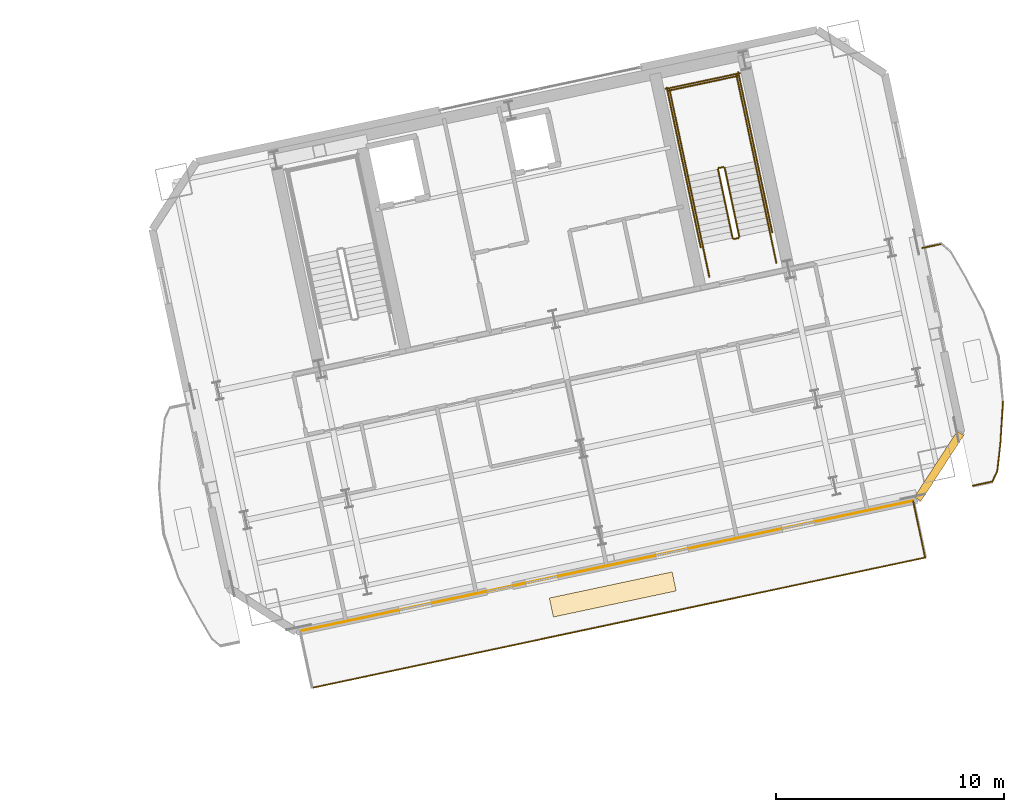
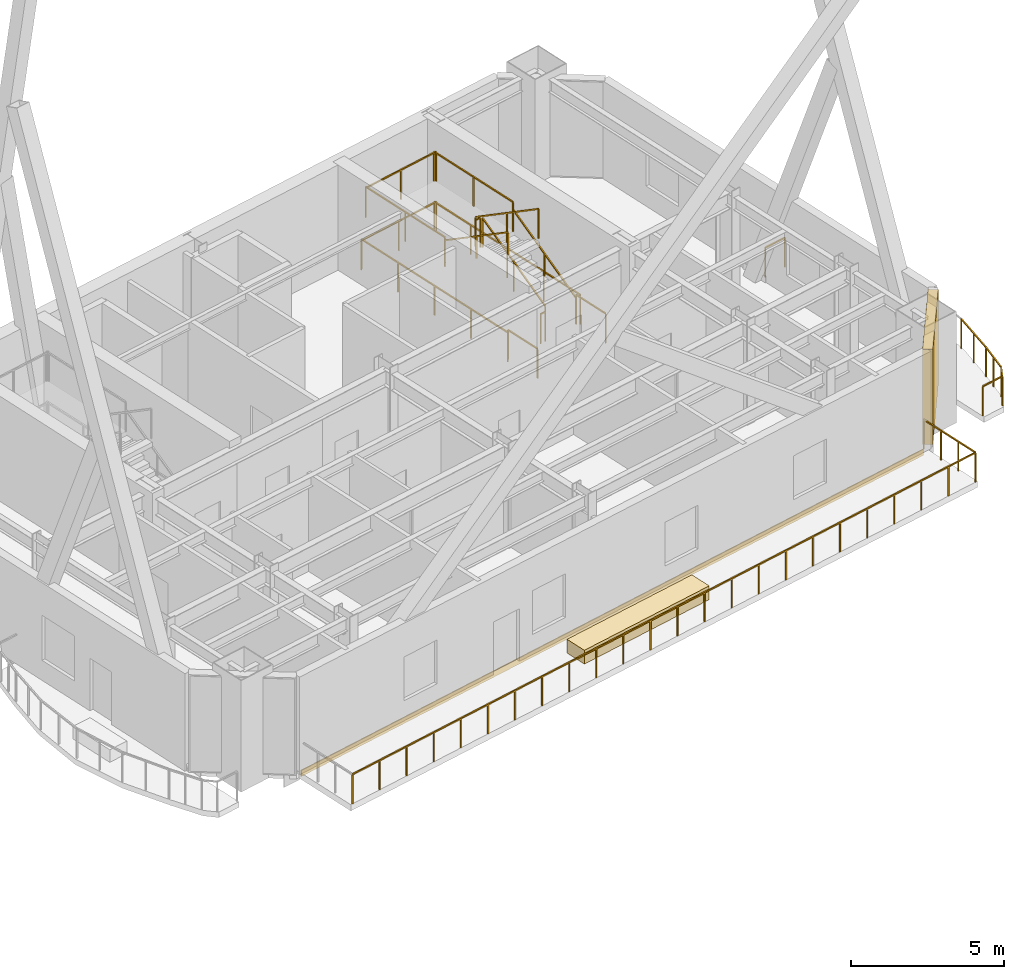
# One storey, part 21 of 22: 21 railings, 2 coverings, 1 shading device.
"""IFC4 building model written with IfcOpenShell, lengths in metres."""

from ifc_helpers import new_model, si_unit, direction, frame, origin, origin_2d, place, context, subcontext, project, spatial, rectangle, extrude, material, layer, layer_set, type_object, element, save


model = new_model("IFC4")

# Units and contexts
model_context = context("Model", 3, precision=1e-05, world=origin(), true_north=direction((0.0, 1.0)))
body_context = subcontext(model_context, "Body", "Model", "MODEL_VIEW")
ifc_project = project(units=[si_unit("LENGTHUNIT", "METRE"), si_unit("AREAUNIT", "SQUARE_METRE"), si_unit("VOLUMEUNIT", "CUBIC_METRE"), si_unit("PLANEANGLEUNIT", "RADIAN"), si_unit("MASSUNIT", "GRAM", prefix="KILO")], contexts=[model_context])

# Site, building, storey
site_placement = place(None, origin())
site = spatial("IfcSite", under=ifc_project, at=site_placement, CompositionType="ELEMENT")
building_placement = place(site_placement, origin())
building = spatial("IfcBuilding", under=site, at=building_placement, Name="Haevon Station Towers", CompositionType="ELEMENT")
storey_placement = place(building_placement, frame((0.0, 0.0, 133.800048828125)))
storey = spatial("IfcBuildingStorey", under=building, at=storey_placement, Name="L36", CompositionType="ELEMENT", Elevation=133.800048828125)

# Covering
ifc_material_1 = material(Name="Anodised aluminium 6063-T6", Category="aluminium")
ifc_layer_1 = layer(ifc_material_1, 0.0400390625)
ifc_layer_set_1 = layer_set([ifc_layer_1], Name="Anodised aluminium 6063-T6")
covering_type_1 = type_object("IfcCoveringType", Name="COV-CLAD40", PredefinedType="CLADDING", material=ifc_layer_set_1)
covering_1_placement = place(storey_placement, frame((111.3203125, 28.81689453125, -0.240234375), z_axis=(0.0, 0.0, 1.0), x_axis=(0.978147600734, 0.207911690818, 0.0)))
element("IfcCovering", 1, at=covering_1_placement, inside=storey, type_object=covering_type_1, Name="Tower 2 L36 Spandrel Fascia Cladding", PredefinedType="CLADDING", context=body_context, shape_type="SweptSolid", body=[
    extrude(rectangle(XDim=27.39990234375, YDim=0.0400390625, at=origin_2d()), origin(), (0.0, 0.0, 1.0), 0.239990234375),
])

# Railings
ifc_material_2 = material(Name="Steel S355", Category="steel")
railing_type_1 = type_object("IfcRailingType", Name="GRD-EXT1200", PredefinedType="GUARDRAIL", material=ifc_material_2)
railing_1_placement = place(storey_placement, frame((98.428466796875, 23.477294921875, 0.0)))
element("IfcRailing", 2, at=railing_1_placement, inside=storey, type_object=railing_type_1, Name="L36 Perimeter Guardrail 1", PredefinedType="GUARDRAIL", context=body_context, shape_type="SweptSolid", body=[
    extrude(rectangle(XDim=0.048095703125, YDim=0.048095703125, at=origin_2d()), frame((0.0, 0.0, 1.17578125), z_axis=(0.978148832804, 0.207905894298, 0.0), x_axis=(-0.207905894298, 0.978148832804, 0.0)), (0.0, 0.0, 1.0), 27.440673828125),
    extrude(rectangle(XDim=0.0419921875, YDim=0.0419921875, at=origin_2d()), origin(), (0.0, 0.0, 1.0), 1.15185546875),
    extrude(rectangle(XDim=0.0419921875, YDim=0.0419921875, at=origin_2d()), frame((1.1669921875, 0.248046875, 0.0)), (0.0, 0.0, 1.0), 1.15185546875),
    extrude(rectangle(XDim=0.0419921875, YDim=0.0419921875, at=origin_2d()), frame((2.333984375, 0.49609375, 0.0)), (0.0, 0.0, 1.0), 1.15185546875),
    extrude(rectangle(XDim=0.0419921875, YDim=0.0419921875, at=origin_2d()), frame((3.5009765625, 0.744140625, 0.0)), (0.0, 0.0, 1.0), 1.15185546875),
    extrude(rectangle(XDim=0.0419921875, YDim=0.0419921875, at=origin_2d()), frame((4.66796875, 0.9921875, 0.0)), (0.0, 0.0, 1.0), 1.15185546875),
    extrude(rectangle(XDim=0.0419921875, YDim=0.0419921875, at=origin_2d()), frame((5.8349609375, 1.240234375, 0.0)), (0.0, 0.0, 1.0), 1.15185546875),
    extrude(rectangle(XDim=0.0419921875, YDim=0.0419921875, at=origin_2d()), frame((7.001953125, 1.48828125, 0.0)), (0.0, 0.0, 1.0), 1.15185546875),
    extrude(rectangle(XDim=0.0419921875, YDim=0.0419921875, at=origin_2d()), frame((8.1689453125, 1.736328125, 0.0)), (0.0, 0.0, 1.0), 1.15185546875),
    extrude(rectangle(XDim=0.0419921875, YDim=0.0419921875, at=origin_2d()), frame((9.3359375, 1.984375, 0.0)), (0.0, 0.0, 1.0), 1.15185546875),
    extrude(rectangle(XDim=0.0419921875, YDim=0.0419921875, at=origin_2d()), frame((10.5029296875, 2.232421875, 0.0)), (0.0, 0.0, 1.0), 1.15185546875),
    extrude(rectangle(XDim=0.0419921875, YDim=0.0419921875, at=origin_2d()), frame((11.669921875, 2.48046875, 0.0)), (0.0, 0.0, 1.0), 1.15185546875),
    extrude(rectangle(XDim=0.0419921875, YDim=0.0419921875, at=origin_2d()), frame((12.8369140625, 2.728515625, 0.0)), (0.0, 0.0, 1.0), 1.15185546875),
    extrude(rectangle(XDim=0.0419921875, YDim=0.0419921875, at=origin_2d()), frame((14.004150390625, 2.9765625, 0.0)), (0.0, 0.0, 1.0), 1.15185546875),
    extrude(rectangle(XDim=0.0419921875, YDim=0.0419921875, at=origin_2d()), frame((15.171142578125, 3.224609375, 0.0)), (0.0, 0.0, 1.0), 1.15185546875),
    extrude(rectangle(XDim=0.0419921875, YDim=0.0419921875, at=origin_2d()), frame((16.338134765625, 3.47265625, 0.0)), (0.0, 0.0, 1.0), 1.15185546875),
    extrude(rectangle(XDim=0.0419921875, YDim=0.0419921875, at=origin_2d()), frame((17.505126953125, 3.720703125, 0.0)), (0.0, 0.0, 1.0), 1.15185546875),
    extrude(rectangle(XDim=0.0419921875, YDim=0.0419921875, at=origin_2d()), frame((18.672119140625, 3.96875, 0.0)), (0.0, 0.0, 1.0), 1.15185546875),
    extrude(rectangle(XDim=0.0419921875, YDim=0.0419921875, at=origin_2d()), frame((19.839111328125, 4.216796875, 0.0)), (0.0, 0.0, 1.0), 1.15185546875),
    extrude(rectangle(XDim=0.0419921875, YDim=0.0419921875, at=origin_2d()), frame((21.006103515625, 4.46484375, 0.0)), (0.0, 0.0, 1.0), 1.15185546875),
    extrude(rectangle(XDim=0.0419921875, YDim=0.0419921875, at=origin_2d()), frame((22.173095703125, 4.712890625, 0.0)), (0.0, 0.0, 1.0), 1.15185546875),
    extrude(rectangle(XDim=0.0419921875, YDim=0.0419921875, at=origin_2d()), frame((23.340087890625, 4.9609375, 0.0)), (0.0, 0.0, 1.0), 1.15185546875),
    extrude(rectangle(XDim=0.0419921875, YDim=0.0419921875, at=origin_2d()), frame((24.507080078125, 5.208984375, 0.0)), (0.0, 0.0, 1.0), 1.15185546875),
    extrude(rectangle(XDim=0.0419921875, YDim=0.0419921875, at=origin_2d()), frame((25.674072265625, 5.45703125, 0.0)), (0.0, 0.0, 1.0), 1.15185546875),
    extrude(rectangle(XDim=0.0419921875, YDim=0.0419921875, at=origin_2d()), frame((26.841064453125, 5.705078125, 0.0)), (0.0, 0.0, 1.0), 1.15185546875),
])
railing_2_placement = place(storey_placement, frame((125.26953125, 29.182373046875, 0.0)))
element("IfcRailing", 3, at=railing_2_placement, inside=storey, type_object=railing_type_1, Name="L36 Perimeter Guardrail 2", PredefinedType="GUARDRAIL", context=body_context, shape_type="SweptSolid", body=[
    extrude(rectangle(XDim=0.048095703125, YDim=0.048095703125, at=origin_2d()), frame((0.0, 0.0, 1.17578125), z_axis=(-0.207921067697, 0.97814560757, 0.0), x_axis=(-0.97814560757, -0.207921067697, 0.0)), (0.0, 0.0, 1.0), 2.530517578125),
    extrude(rectangle(XDim=0.0419921875, YDim=0.0419921875, at=origin_2d()), origin(), (0.0, 0.0, 1.0), 1.15185546875),
    extrude(rectangle(XDim=0.0419921875, YDim=0.0419921875, at=origin_2d()), frame((-0.17529296875, 0.824951171875, 0.0)), (0.0, 0.0, 1.0), 1.15185546875),
    extrude(rectangle(XDim=0.0419921875, YDim=0.0419921875, at=origin_2d()), frame((-0.350830078125, 1.650146484375, 0.0)), (0.0, 0.0, 1.0), 1.15185546875),
    extrude(rectangle(XDim=0.0419921875, YDim=0.0419921875, at=origin_2d()), frame((-0.526123046875, 2.47509765625, 0.0)), (0.0, 0.0, 1.0), 1.15185546875),
])
railing_3_placement = place(storey_placement, frame((127.36328125, 32.332275390625, 0.0)))
element("IfcRailing", 4, at=railing_3_placement, inside=storey, type_object=railing_type_1, Name="L36 Perimeter Guardrail 1", PredefinedType="GUARDRAIL", context=body_context, shape_type="SweptSolid", body=[
    extrude(rectangle(XDim=0.048095703125, YDim=0.048095703125, at=origin_2d()), frame((0.0, 0.0, 1.17578125), z_axis=(0.977695451476, 0.210027627141, 0.0), x_axis=(-0.210027627141, 0.977695451476, 0.0)), (0.0, 0.0, 1.0), 0.869384765625),
    extrude(rectangle(XDim=0.0419921875, YDim=0.0419921875, at=origin_2d()), origin(), (0.0, 0.0, 1.0), 1.15185546875),
    extrude(rectangle(XDim=0.0419921875, YDim=0.0419921875, at=origin_2d()), frame((0.85009765625, 0.1826171875, 0.0)), (0.0, 0.0, 1.0), 1.15185546875),
])
railing_4_placement = place(storey_placement, frame((128.21337890625, 32.514892578125, 0.0)))
element("IfcRailing", 5, at=railing_4_placement, inside=storey, type_object=railing_type_1, Name="L36 Perimeter Guardrail 2", PredefinedType="GUARDRAIL", context=body_context, shape_type="SweptSolid", body=[
    extrude(rectangle(XDim=0.048095703125, YDim=0.048095703125, at=origin_2d()), frame((0.0, 0.0, 1.17578125), z_axis=(0.424336804867, 0.905504431814, 0.0), x_axis=(-0.905504431814, 0.424336804867, 0.0)), (0.0, 0.0, 1.0), 0.515625),
    extrude(rectangle(XDim=0.0419921875, YDim=0.0419921875, at=origin_2d()), origin(), (0.0, 0.0, 1.0), 1.15185546875),
    extrude(rectangle(XDim=0.0419921875, YDim=0.0419921875, at=origin_2d()), frame((0.21875, 0.466796875, 0.0)), (0.0, 0.0, 1.0), 1.15185546875),
])
railing_5_placement = place(storey_placement, frame((128.43212890625, 32.981689453125, 0.0)))
element("IfcRailing", 6, at=railing_5_placement, inside=storey, type_object=railing_type_1, Name="L36 Perimeter Guardrail 3", PredefinedType="GUARDRAIL", context=body_context, shape_type="SweptSolid", body=[
    extrude(rectangle(XDim=0.048095703125, YDim=0.048095703125, at=origin_2d()), frame((0.0, 0.0, 1.17578125), z_axis=(0.110866095159, 0.993835353036, 0.0), x_axis=(-0.993835353036, 0.110866095159, 0.0)), (0.0, 0.0, 1.0), 1.233154296875),
    extrude(rectangle(XDim=0.0419921875, YDim=0.0419921875, at=origin_2d()), origin(), (0.0, 0.0, 1.0), 1.15185546875),
    extrude(rectangle(XDim=0.0419921875, YDim=0.0419921875, at=origin_2d()), frame((0.068359375, 0.61279296875, 0.0)), (0.0, 0.0, 1.0), 1.15185546875),
    extrude(rectangle(XDim=0.0419921875, YDim=0.0419921875, at=origin_2d()), frame((0.13671875, 1.2255859375, 0.0)), (0.0, 0.0, 1.0), 1.15185546875),
])
railing_6_placement = place(storey_placement, frame((128.56884765625, 34.207275390625, 0.0)))
element("IfcRailing", 7, at=railing_6_placement, inside=storey, type_object=railing_type_1, Name="L36 Perimeter Guardrail 4", PredefinedType="GUARDRAIL", context=body_context, shape_type="SweptSolid", body=[
    extrude(rectangle(XDim=0.048095703125, YDim=0.048095703125, at=origin_2d()), frame((0.0, 0.0, 1.17578125), z_axis=(0.060230624472, 0.998184487896, 0.0), x_axis=(-0.998184487896, 0.060230624472, 0.0)), (0.0, 0.0, 1.0), 1.811767578125),
    extrude(rectangle(XDim=0.0419921875, YDim=0.0419921875, at=origin_2d()), origin(), (0.0, 0.0, 1.0), 1.15185546875),
    extrude(rectangle(XDim=0.0419921875, YDim=0.0419921875, at=origin_2d()), frame((0.0546875, 0.904296875, 0.0)), (0.0, 0.0, 1.0), 1.15185546875),
    extrude(rectangle(XDim=0.0419921875, YDim=0.0419921875, at=origin_2d()), frame((0.109130859375, 1.80859375, 0.0)), (0.0, 0.0, 1.0), 1.15185546875),
])
railing_7_placement = place(storey_placement, frame((126.0009765625, 42.922607421875, 0.0)))
element("IfcRailing", 8, at=railing_7_placement, inside=storey, type_object=railing_type_1, Name="L36 Perimeter Guardrail 10", PredefinedType="GUARDRAIL", context=body_context, shape_type="SweptSolid", body=[
    extrude(rectangle(XDim=0.048095703125, YDim=0.048095703125, at=origin_2d()), frame((0.0, 0.0, 1.17578125), z_axis=(-0.978645023674, -0.205557577426, 0.0), x_axis=(0.205557577426, -0.978645023674, 0.0)), (0.0, 0.0, 1.0), 0.869384765625),
    extrude(rectangle(XDim=0.0419921875, YDim=0.0419921875, at=origin_2d()), origin(), (0.0, 0.0, 1.0), 1.15185546875),
    extrude(rectangle(XDim=0.0419921875, YDim=0.0419921875, at=origin_2d()), frame((-0.850830078125, -0.1787109375, 0.0)), (0.0, 0.0, 1.0), 1.15185546875),
])
railing_type_2 = type_object("IfcRailingType", Name="GRD-STR1200", PredefinedType="GUARDRAIL", material=ifc_material_2)
railing_8_placement = place(storey_placement, frame((117.128662109375, 43.23974609375, 0.175048828125)))
element("IfcRailing", 9, at=railing_8_placement, inside=storey, type_object=railing_type_2, Name="L36 ST4 Stair Guard 1", PredefinedType="GUARDRAIL", context=body_context, shape_type="SweptSolid", body=[
    extrude(rectangle(XDim=0.048095703125, YDim=0.048095703125, at=origin_2d()), frame((0.0, 0.0, 1.17578125), z_axis=(-0.176317186199, 0.829490689172, 0.5299598536), x_axis=(-0.978146762005, -0.207915636689, 0.0)), (0.0, 0.0, 1.0), 3.632080078125),
    extrude(rectangle(XDim=0.0419921875, YDim=0.0419921875, at=origin_2d()), origin(), (0.0, 0.0, 1.0), 1.15185546875),
    extrude(rectangle(XDim=0.0419921875, YDim=0.0419921875, at=origin_2d()), frame((-0.3203125, 1.50634765625, 0.96240234375)), (0.0, 0.0, 1.0), 1.15185546875),
    extrude(rectangle(XDim=0.0419921875, YDim=0.0419921875, at=origin_2d()), frame((-0.640380859375, 3.0126953125, 1.9248046875)), (0.0, 0.0, 1.0), 1.15185546875),
])
railing_9_placement = place(storey_placement, frame((116.428955078125, 46.291015625, 2.099853515625)))
element("IfcRailing", 10, at=railing_9_placement, inside=storey, type_object=railing_type_2, Name="L36 ST4 Stair Guard 2", PredefinedType="GUARDRAIL", context=body_context, shape_type="SweptSolid", body=[
    extrude(rectangle(XDim=0.048095703125, YDim=0.048095703125, at=origin_2d()), frame((0.0, 0.0, 1.17578125), z_axis=(-0.977962931203, -0.208778603291, 0.0), x_axis=(0.208778603291, -0.977962931203, 0.0)), (0.0, 0.0, 1.0), 0.199951171875),
    extrude(rectangle(XDim=0.0419921875, YDim=0.0419921875, at=origin_2d()), origin(), (0.0, 0.0, 1.0), 1.15185546875),
    extrude(rectangle(XDim=0.0419921875, YDim=0.0419921875, at=origin_2d()), frame((-0.195556640625, -0.041748046875, 0.0)), (0.0, 0.0, 1.0), 1.15185546875),
])
for number, where, name in (
    (11, (117.808837890625, 46.533203125, 2.099853515625), "L36 ST4 Stair Guard 3"),
    (12, (114.874267578125, 45.909423828125, 2.099853515625), "L36 ST4 Stair Guard 4"),
):
    element("IfcRailing", number, at=place(storey_placement, frame(where)), inside=storey, type_object=railing_type_2, Name=name, PredefinedType="GUARDRAIL", context=body_context, shape_type="SweptSolid", body=[
        extrude(rectangle(XDim=0.048095703125, YDim=0.048095703125, at=origin_2d()), frame((0.0, 0.0, 1.17578125), z_axis=(-0.207930432828, 0.978143616809, 0.0), x_axis=(-0.978143616809, -0.207930432828, 0.0)), (0.0, 0.0, 1.0), 3.869873046875),
        extrude(rectangle(XDim=0.0419921875, YDim=0.0419921875, at=origin_2d()), origin(), (0.0, 0.0, 1.0), 1.15185546875),
        extrude(rectangle(XDim=0.0419921875, YDim=0.0419921875, at=origin_2d()), frame((-0.40234375, 1.892578125, 0.0)), (0.0, 0.0, 1.0), 1.15185546875),
        extrude(rectangle(XDim=0.0419921875, YDim=0.0419921875, at=origin_2d()), frame((-0.8046875, 3.785400390625, 0.0)), (0.0, 0.0, 1.0), 1.15185546875),
    ])
railing_10_placement = place(storey_placement, frame((117.0634765625, 50.280029296875, 2.099853515625)))
element("IfcRailing", 13, at=railing_10_placement, inside=storey, type_object=railing_type_2, Name="L36 ST4 Stair Guard 5", PredefinedType="GUARDRAIL", context=body_context, shape_type="SweptSolid", body=[
    extrude(rectangle(XDim=0.048095703125, YDim=0.048095703125, at=origin_2d()), frame((0.0, 0.0, 1.17578125), z_axis=(-0.978146839882, -0.207915270313, 0.0), x_axis=(0.207915270313, -0.978146839882, 0.0)), (0.0, 0.0, 1.0), 3.099853515625),
    extrude(rectangle(XDim=0.0419921875, YDim=0.0419921875, at=origin_2d()), origin(), (0.0, 0.0, 1.0), 1.15185546875),
    extrude(rectangle(XDim=0.0419921875, YDim=0.0419921875, at=origin_2d()), frame((-1.51611328125, -0.322265625, 0.0)), (0.0, 0.0, 1.0), 1.15185546875),
    extrude(rectangle(XDim=0.0419921875, YDim=0.0419921875, at=origin_2d()), frame((-3.0322265625, -0.64453125, 0.0)), (0.0, 0.0, 1.0), 1.15185546875),
])
railing_11_placement = place(storey_placement, frame((116.19482421875, 46.18994140625, 2.27490234375)))
element("IfcRailing", 14, at=railing_11_placement, inside=storey, type_object=railing_type_2, Name="L36 ST4 Stair Guard 6", PredefinedType="GUARDRAIL", context=body_context, shape_type="SweptSolid", body=[
    extrude(rectangle(XDim=0.048095703125, YDim=0.048095703125, at=origin_2d()), frame((0.0, 0.0, 1.17578125), z_axis=(0.176310905062, -0.829461139329, 0.53000819154), x_axis=(0.978146762005, 0.207915636689, 0.0)), (0.0, 0.0, 1.0), 3.632080078125),
    extrude(rectangle(XDim=0.0419921875, YDim=0.0419921875, at=origin_2d()), origin(), (0.0, 0.0, 1.0), 1.15185546875),
    extrude(rectangle(XDim=0.0419921875, YDim=0.0419921875, at=origin_2d()), frame((0.3203125, -1.50634765625, 0.96240234375)), (0.0, 0.0, 1.0), 1.15185546875),
    extrude(rectangle(XDim=0.0419921875, YDim=0.0419921875, at=origin_2d()), frame((0.640380859375, -3.0126953125, 1.925048828125)), (0.0, 0.0, 1.0), 1.15185546875),
])
railing_12_placement = place(storey_placement, frame((117.090087890625, 43.180419921875, 0.0)))
element("IfcRailing", 15, at=railing_12_placement, inside=storey, type_object=railing_type_2, Name="L36 ST4 Stair Guard 7", PredefinedType="GUARDRAIL", context=body_context, shape_type="SweptSolid", body=[
    extrude(rectangle(XDim=0.048095703125, YDim=0.048095703125, at=origin_2d()), frame((0.0, 0.0, 1.17578125), z_axis=(-0.978211583308, -0.207610448392, 0.0), x_axis=(0.207610448392, -0.978211583308, 0.0)), (0.0, 0.0, 1.0), 0.199951171875),
    extrude(rectangle(XDim=0.0419921875, YDim=0.0419921875, at=origin_2d()), origin(), (0.0, 0.0, 1.0), 1.15185546875),
    extrude(rectangle(XDim=0.0419921875, YDim=0.0419921875, at=origin_2d()), frame((-0.195556640625, -0.04150390625, 0.0)), (0.0, 0.0, 1.0), 1.15185546875),
])
for number, where, name in (
    (16, (118.75048828125, 42.10205078125, 0.0), "L36 ST4 Stair Guard 8"),
    (17, (115.816162109375, 41.478271484375, 0.0), "L36 ST4 Stair Guard 9"),
):
    element("IfcRailing", number, at=place(storey_placement, frame(where)), inside=storey, type_object=railing_type_2, Name=name, PredefinedType="GUARDRAIL", context=body_context, shape_type="SweptSolid", body=[
        extrude(rectangle(XDim=0.048095703125, YDim=0.048095703125, at=origin_2d()), frame((0.0, 0.0, 1.17578125), z_axis=(-0.207919161079, 0.978146012851, 0.0), x_axis=(-0.978146012851, -0.207919161079, 0.0)), (0.0, 0.0, 1.0), 1.4501953125),
        extrude(rectangle(XDim=0.0419921875, YDim=0.0419921875, at=origin_2d()), origin(), (0.0, 0.0, 1.0), 1.15185546875),
        extrude(rectangle(XDim=0.0419921875, YDim=0.0419921875, at=origin_2d()), frame((-0.301513671875, 1.41845703125, 0.0)), (0.0, 0.0, 1.0), 1.15185546875),
    ])
railing_13_placement = place(storey_placement, frame((118.567626953125, 43.443359375, 0.0)))
element("IfcRailing", 18, at=railing_13_placement, inside=storey, type_object=railing_type_2, Name="L36 ST4 Stair Guard 10", PredefinedType="GUARDRAIL", context=body_context, shape_type="SweptSolid", body=[
    extrude(rectangle(XDim=0.048095703125, YDim=0.048095703125, at=origin_2d()), frame((0.0, 0.0, 1.17578125), z_axis=(-0.207908168386, 0.978148349443, 0.0), x_axis=(-0.978148349443, -0.207908168386, 0.0)), (0.0, 0.0, 1.0), 7.150146484375),
    extrude(rectangle(XDim=0.0419921875, YDim=0.0419921875, at=origin_2d()), origin(), (0.0, 0.0, 1.0), 1.15185546875),
    extrude(rectangle(XDim=0.0419921875, YDim=0.0419921875, at=origin_2d()), frame((-0.37158203125, 1.74853515625, 0.0)), (0.0, 0.0, 1.0), 1.15185546875),
    extrude(rectangle(XDim=0.0419921875, YDim=0.0419921875, at=origin_2d()), frame((-0.7431640625, 3.4970703125, 0.0)), (0.0, 0.0, 1.0), 1.15185546875),
    extrude(rectangle(XDim=0.0419921875, YDim=0.0419921875, at=origin_2d()), frame((-1.114990234375, 5.245361328125, 0.0)), (0.0, 0.0, 1.0), 1.15185546875),
    extrude(rectangle(XDim=0.0419921875, YDim=0.0419921875, at=origin_2d()), frame((-1.486572265625, 6.993896484375, 0.0)), (0.0, 0.0, 1.0), 1.15185546875),
])
railing_14_placement = place(storey_placement, frame((115.4375, 42.778076171875, 0.0)))
element("IfcRailing", 19, at=railing_14_placement, inside=storey, type_object=railing_type_2, Name="L36 ST4 Stair Guard 11", PredefinedType="GUARDRAIL", context=body_context, shape_type="SweptSolid", body=[
    extrude(rectangle(XDim=0.048095703125, YDim=0.048095703125, at=origin_2d()), frame((0.0, 0.0, 1.17578125), z_axis=(-0.207882442208, 0.978153817261, 0.0), x_axis=(-0.978153817261, -0.207882442208, 0.0)), (0.0, 0.0, 1.0), 7.14990234375),
    extrude(rectangle(XDim=0.0419921875, YDim=0.0419921875, at=origin_2d()), origin(), (0.0, 0.0, 1.0), 1.15185546875),
    extrude(rectangle(XDim=0.0419921875, YDim=0.0419921875, at=origin_2d()), frame((-0.37158203125, 1.74853515625, 0.0)), (0.0, 0.0, 1.0), 1.15185546875),
    extrude(rectangle(XDim=0.0419921875, YDim=0.0419921875, at=origin_2d()), frame((-0.7431640625, 3.496826171875, 0.0)), (0.0, 0.0, 1.0), 1.15185546875),
    extrude(rectangle(XDim=0.0419921875, YDim=0.0419921875, at=origin_2d()), frame((-1.11474609375, 5.2451171875, 0.0)), (0.0, 0.0, 1.0), 1.15185546875),
    extrude(rectangle(XDim=0.0419921875, YDim=0.0419921875, at=origin_2d()), frame((-1.486328125, 6.99365234375, 0.0)), (0.0, 0.0, 1.0), 1.15185546875),
])
railing_15_placement = place(storey_placement, frame((117.140380859375, 50.398681640625, 0.0)))
element("IfcRailing", 20, at=railing_15_placement, inside=storey, type_object=railing_type_2, Name="L36 ST4 Stair Guard 12", PredefinedType="GUARDRAIL", context=body_context, shape_type="SweptSolid", body=[
    extrude(rectangle(XDim=0.048095703125, YDim=0.048095703125, at=origin_2d()), frame((0.0, 0.0, 1.17578125), z_axis=(-0.978135717418, -0.207967589567, 0.0), x_axis=(0.207967589567, -0.978135717418, 0.0)), (0.0, 0.0, 1.0), 3.300048828125),
    extrude(rectangle(XDim=0.0419921875, YDim=0.0419921875, at=origin_2d()), origin(), (0.0, 0.0, 1.0), 1.15185546875),
    extrude(rectangle(XDim=0.0419921875, YDim=0.0419921875, at=origin_2d()), frame((-1.61376953125, -0.34326171875, 0.0)), (0.0, 0.0, 1.0), 1.15185546875),
    extrude(rectangle(XDim=0.0419921875, YDim=0.0419921875, at=origin_2d()), frame((-3.227783203125, -0.686279296875, 0.0)), (0.0, 0.0, 1.0), 1.15185546875),
])
railing_type_3 = type_object("IfcRailingType", Name="HND-STR900", PredefinedType="HANDRAIL", material=ifc_material_2)
railing_16_placement = place(storey_placement, frame((118.448974609375, 43.5205078125, 0.175048828125)))
element("IfcRailing", 21, at=railing_16_placement, inside=storey, type_object=railing_type_3, Name="L36 ST4 Stair Handrail 1", PredefinedType="HANDRAIL", context=body_context, shape_type="SweptSolid", body=[
    extrude(rectangle(XDim=0.048095703125, YDim=0.048095703125, at=origin_2d()), frame((0.0, 0.0, 0.8759765625), z_axis=(-0.176252055083, 0.829500518582, 0.52996613359), x_axis=(-0.978162879887, -0.207839795062, 0.0)), (0.0, 0.0, 1.0), 3.6318359375),
    extrude(rectangle(XDim=0.0419921875, YDim=0.0419921875, at=origin_2d()), origin(), (0.0, 0.0, 1.0), 0.851806640625),
    extrude(rectangle(XDim=0.0419921875, YDim=0.0419921875, at=origin_2d()), frame((-0.320068359375, 1.50634765625, 0.96240234375)), (0.0, 0.0, 1.0), 0.851806640625),
    extrude(rectangle(XDim=0.0419921875, YDim=0.0419921875, at=origin_2d()), frame((-0.64013671875, 3.0126953125, 1.9248046875)), (0.0, 0.0, 1.0), 0.851806640625),
])
railing_17_placement = place(storey_placement, frame((114.874267578125, 45.909423828125, 2.27490234375)))
element("IfcRailing", 22, at=railing_17_placement, inside=storey, type_object=railing_type_3, Name="L36 ST4 Stair Handrail 2", PredefinedType="HANDRAIL", context=body_context, shape_type="SweptSolid", body=[
    extrude(rectangle(XDim=0.048095703125, YDim=0.048095703125, at=origin_2d()), frame((0.0, 0.0, 0.8759765625), z_axis=(0.176310905062, -0.829461139329, 0.53000819154), x_axis=(0.978146762005, 0.207915636689, 0.0)), (0.0, 0.0, 1.0), 3.632080078125),
    extrude(rectangle(XDim=0.0419921875, YDim=0.0419921875, at=origin_2d()), origin(), (0.0, 0.0, 1.0), 0.851806640625),
    extrude(rectangle(XDim=0.0419921875, YDim=0.0419921875, at=origin_2d()), frame((0.3203125, -1.50634765625, 0.96240234375)), (0.0, 0.0, 1.0), 0.851806640625),
    extrude(rectangle(XDim=0.0419921875, YDim=0.0419921875, at=origin_2d()), frame((0.640380859375, -3.0126953125, 1.925048828125)), (0.0, 0.0, 1.0), 0.851806640625),
])

# Covering
ifc_material_3 = material(Name="Architectural planter GRC", Category="concrete")
ifc_layer_2 = layer(ifc_material_3, 0.550048828125)
ifc_layer_set_2 = layer_set([ifc_layer_2], Name="Architectural planter GRC")
covering_type_2 = type_object("IfcCoveringType", Name="PLN-GRC550", PredefinedType="MOLDING", material=ifc_layer_set_2)
covering_2_placement = place(storey_placement, frame((111.5859375, 27.5673828125, 0.0), z_axis=(0.0, 0.0, 1.0), x_axis=(0.978147600734, 0.207911690818, 0.0)))
element("IfcCovering", 23, at=covering_2_placement, inside=storey, type_object=covering_type_2, Name="Tower 2 L36 Sky-Garden GRC PLANTER", PredefinedType="MOLDING", context=body_context, shape_type="SweptSolid", body=[
    extrude(rectangle(XDim=5.5, YDim=0.85009765625, at=origin_2d()), origin(), (0.0, 0.0, 1.0), 0.550048828125),
])

# Shading device
ifc_layer_3 = layer(ifc_material_1, 0.139892578125)
ifc_layer_set_3 = layer_set([ifc_layer_3], Name="Anodised aluminium 6063-T6")
shading_device_type = type_object("IfcShadingDeviceType", Name="SHD-WIND-BAFFLE", PredefinedType="SHUTTER", material=ifc_layer_set_3)
shading_device_placement = place(storey_placement, frame((125.87939453125, 33.189453125, 0.0498046875), z_axis=(0.0, 0.0, 1.0), x_axis=(-0.544638910449, -0.838670648839, 0.0)))
element("IfcShadingDevice", 24, at=shading_device_placement, inside=storey, type_object=shading_device_type, Name="Tower 2 L36 Wind-Corner Aerofoil Baffle SEC", PredefinedType="SHUTTER", context=body_context, shape_type="SweptSolid", body=[
    extrude(rectangle(XDim=3.435546875, YDim=0.340087890625, at=origin_2d()), origin(), (0.0, 0.0, 1.0), 3.800048828125),
])

save(model, "model.ifc")
